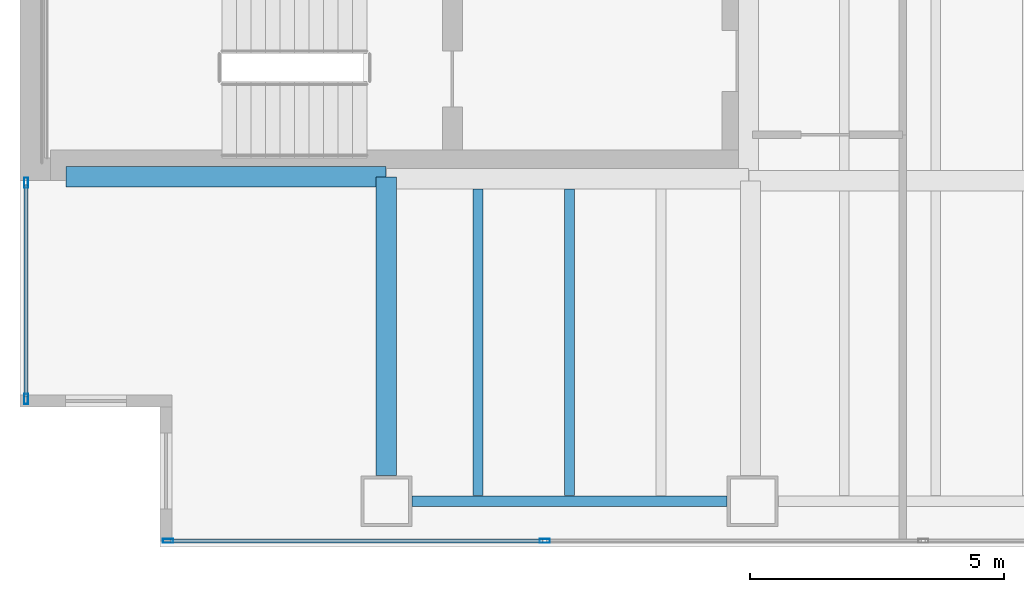
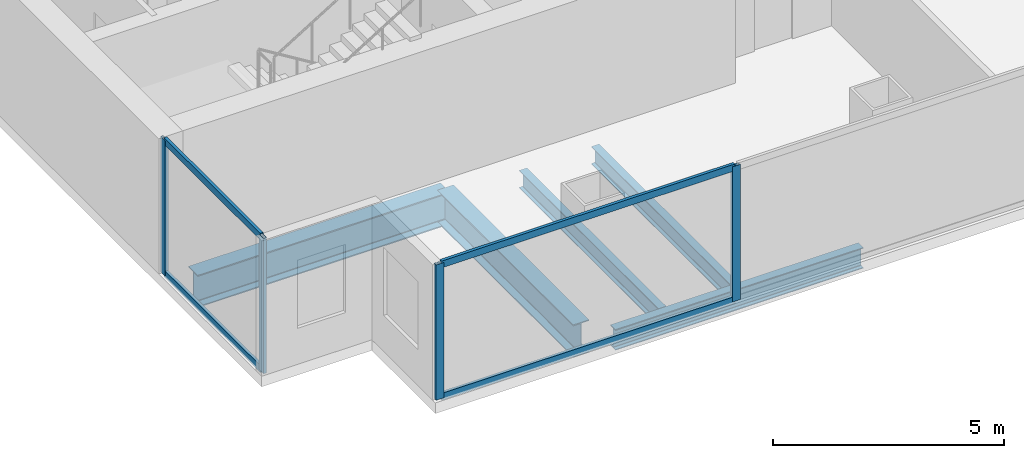
# One storey, part 2 of 23: 8 members, 5 beams, 2 elements without a shape of their own.
"""IFC4 building model written with IfcOpenShell, lengths in metres."""

import ifcopenshell
import ifcopenshell.guid

model = None  # the IFC model being written
_history = None  # IfcOwnerHistory: only IFC2X3 demands one
_inside = {}  # id of a spatial element -> (the spatial element, [elements in it])
_under = {}  # id of a project, library or spatial element -> (it, [spatial elements below it])
_declared = {}  # id of a project -> (the project, [libraries it declares])
_typed = {}  # id of a type object -> (the type object, [elements of that type])
_made_of = {}  # id of a material, layer set ... -> (it, [elements and type objects made of it])


def new_model(schema):
    """Start an empty IFC model of exactly this schema.

    Asked for "IFC4X3", IfcOpenShell would pick the latest addendum, in which some entities
    have other attributes; the version numbers below select the first issue.
    IFC2X3 requires an IfcOwnerHistory on every rooted entity: one is made here for all.
    """
    global model, _history
    if schema == "IFC4X3":
        model = ifcopenshell.file(schema_version=(4, 3, 0, 0))
    else:
        model = ifcopenshell.file(schema=schema)
    _inside.clear()
    _under.clear()
    _declared.clear()
    _typed.clear()
    _made_of.clear()
    _history = None
    if model.schema == "IFC2X3":
        org = make("IfcOrganization", Name="unknown")
        user = make(
            "IfcPersonAndOrganization",
            ThePerson=make("IfcPerson", FamilyName="unknown"),
            TheOrganization=org,
        )
        app = make(
            "IfcApplication",
            ApplicationDeveloper=org,
            Version="unknown",
            ApplicationFullName="unknown",
            ApplicationIdentifier="unknown",
        )
        _history = make(
            "IfcOwnerHistory",
            OwningUser=user,
            OwningApplication=app,
            ChangeAction="ADDED",
            CreationDate=0,
        )
    return model


def make(cls, **values):
    """One entity of the class cls with the attributes given. An attribute that is None is left unset."""
    return model.create_entity(
        cls, **{name: value for name, value in values.items() if value is not None}
    )


def rooted(cls, **values):
    """An entity with a GlobalId (a new one), such as an element, a storey or a relation."""
    return make(cls, GlobalId=ifcopenshell.guid.new(), OwnerHistory=_history, **values)


def si_unit(unit_type, name, prefix=None):
    """IfcSIUnit, for example si_unit("LENGTHUNIT", "METRE", prefix="MILLI")."""
    return make("IfcSIUnit", UnitType=unit_type, Prefix=prefix, Name=name)


def assignment(units):
    """IfcUnitAssignment: the units of a project."""
    return None if units is None else make("IfcUnitAssignment", Units=units)


def point(xyz):
    """IfcCartesianPoint."""
    return None if xyz is None else make("IfcCartesianPoint", Coordinates=xyz)


def direction(xyz):
    """IfcDirection."""
    return None if xyz is None else make("IfcDirection", DirectionRatios=xyz)


def frame(location, z_axis=None, x_axis=None):
    """IfcAxis2Placement3D, a coordinate frame: its origin and axes. An axis left out is left unset."""
    return make(
        "IfcAxis2Placement3D",
        Location=point(location),
        Axis=direction(z_axis),
        RefDirection=direction(x_axis),
    )


def frame_2d(location, x_axis=None):
    """IfcAxis2Placement2D, a coordinate frame in the plane: its origin and x axis."""
    return make(
        "IfcAxis2Placement2D", Location=point(location), RefDirection=direction(x_axis)
    )


def origin():
    """The frame at (0, 0, 0) with its axes left unset."""
    return frame((0.0, 0.0, 0.0))


def origin_2d():
    """The frame at (0, 0) in the plane with its x axis left unset."""
    return frame_2d((0.0, 0.0))


def place(relative_to, where):
    """IfcLocalPlacement: puts the frame where relative to a parent placement (None: the world)."""
    return make(
        "IfcLocalPlacement", PlacementRelTo=relative_to, RelativePlacement=where
    )


def context(
    kind, dimensions, precision=None, world=None, true_north=None, identifier=None
):
    """IfcGeometricRepresentationContext, for example the 3D "Model" context."""
    return make(
        "IfcGeometricRepresentationContext",
        ContextIdentifier=identifier,
        ContextType=kind,
        CoordinateSpaceDimension=dimensions,
        Precision=precision,
        WorldCoordinateSystem=world,
        TrueNorth=true_north,
    )


def subcontext(parent, identifier, kind, view, scale=None):
    """IfcGeometricRepresentationSubContext, for example "Body" below "Model"."""
    return make(
        "IfcGeometricRepresentationSubContext",
        ContextIdentifier=identifier,
        ContextType=kind,
        ParentContext=parent,
        TargetScale=scale,
        TargetView=view,
    )


def project(units=None, contexts=None):
    """IfcProject with its units and contexts."""
    return rooted(
        "IfcProject",
        Name="project",
        RepresentationContexts=contexts,
        UnitsInContext=assignment(units),
    )


def spatial(cls, under=None, at=None, **own):
    """A site, building, storey or space (cls), placed at a placement, below another one or the project."""
    s = rooted(cls, ObjectPlacement=at, **own)
    if under is not None:
        _under.setdefault(under.id(), (under, []))[1].append(s)
    return s


def profile(cls, at=None, kind="AREA", **sizes):
    """A parametric profile (cls). Its sizes go by their IFC names, for example OverallWidth=200.0."""
    return make(cls, ProfileType=kind, Position=at, **sizes)


def hollow_rectangle(**sizes):
    """IfcRectangleHollowProfileDef."""
    return profile("IfcRectangleHollowProfileDef", **sizes)


def i_section(**sizes):
    """IfcIShapeProfileDef."""
    return profile("IfcIShapeProfileDef", **sizes)


def extrude(swept, where, along, depth):
    """IfcExtrudedAreaSolid: the profile swept, set in the frame where, extruded along a direction by depth."""
    return make(
        "IfcExtrudedAreaSolid",
        SweptArea=swept,
        Position=where,
        ExtrudedDirection=direction(along),
        Depth=depth,
    )


def shape(context_of_items, identifier, shape_type, items):
    """IfcShapeRepresentation: the items that make up one representation, for example the "Body"."""
    return make(
        "IfcShapeRepresentation",
        ContextOfItems=context_of_items,
        RepresentationIdentifier=identifier,
        RepresentationType=shape_type,
        Items=items,
    )


def material(Name=None, Category=None):
    """IfcMaterial."""
    return make("IfcMaterial", Name=Name, Category=Category)


def material_profile(
    of_material, cross_section, Name=None, Category=None, Priority=None
):
    """IfcMaterialProfile: a cross section and its material."""
    return make(
        "IfcMaterialProfile",
        Name=Name,
        Material=of_material,
        Profile=cross_section,
        Priority=Priority,
        Category=Category,
    )


def profile_set(profiles, Name=None, composite=None):
    """IfcMaterialProfileSet."""
    return make(
        "IfcMaterialProfileSet",
        Name=Name,
        MaterialProfiles=profiles,
        CompositeProfile=composite,
    )


def made_of(thing, what):
    """Note that an element or type object is made of a material, layer set ...; save() writes the relation."""
    if what is not None:
        _made_of.setdefault(what.id(), (what, []))[1].append(thing)
    return thing


def type_object(cls, material=None, **own):
    """A type object (cls), such as IfcWallType, which elements share."""
    return made_of(rooted(cls, **own), material)


def element(
    cls,
    number,
    at=None,
    inside=None,
    cuts=None,
    type_object=None,
    material=None,
    context=None,
    identifier="Body",
    shape_type=None,
    held_by="IfcProductDefinitionShape",
    body=None,
    shapes=None,
    **own,
):
    """One element of the class cls, such as IfcWall. Its Tag is "e" and its number.

    at: its placement. inside: the storey or other place that contains it. cuts: it is an
    opening in that element (IfcRelVoidsElement). A single representation is given by context,
    identifier, shape_type and body (its items); several are given by shapes. held_by: the class
    of the entity that holds the representations. save() writes the other relations.
    """
    e = rooted(cls, Tag="e%d" % number, ObjectPlacement=at, **own)
    if body is not None:
        shapes = [shape(context, identifier, shape_type, body)]
    if shapes is not None:
        e.Representation = make(held_by, Representations=shapes)
    if inside is not None:
        _inside.setdefault(inside.id(), (inside, []))[1].append(e)
    if cuts is not None:
        rooted(
            "IfcRelVoidsElement", RelatingBuildingElement=cuts, RelatedOpeningElement=e
        )
    if type_object is not None:
        _typed.setdefault(type_object.id(), (type_object, []))[1].append(e)
    return made_of(e, material)


def aggregate(whole, parts):
    """IfcRelAggregates: a whole, such as a stair, and the parts it consists of."""
    return rooted("IfcRelAggregates", RelatingObject=whole, RelatedObjects=parts)


def save(model, path):
    """Write the relations noted so far, then the file.

    IfcRelAggregates (storeys below a building ...), IfcRelContainedInSpatialStructure (elements
    in a storey), IfcRelDefinesByType, IfcRelAssociatesMaterial and IfcRelDeclares: one each for
    every whole, place, type object, material and project.
    """
    for whole, parts in _under.values():
        aggregate(whole, parts)
    for where, things in _inside.values():
        rooted(
            "IfcRelContainedInSpatialStructure",
            RelatedElements=things,
            RelatingStructure=where,
        )
    for kind, things in _typed.values():
        rooted("IfcRelDefinesByType", RelatedObjects=things, RelatingType=kind)
    for what, things in _made_of.values():
        rooted("IfcRelAssociatesMaterial", RelatedObjects=things, RelatingMaterial=what)
    for by, libraries in _declared.values():
        rooted("IfcRelDeclares", RelatingContext=by, RelatedDefinitions=libraries)
    model.write(path)


model = new_model("IFC4")

# Units and contexts
model_context = context("Model", 3, precision=1e-05, world=origin(), true_north=direction((0.0, 1.0)))
body_context = subcontext(model_context, "Body", "Model", "MODEL_VIEW")
ifc_project = project(units=[si_unit("LENGTHUNIT", "METRE"), si_unit("AREAUNIT", "SQUARE_METRE"), si_unit("VOLUMEUNIT", "CUBIC_METRE"), si_unit("PLANEANGLEUNIT", "RADIAN"), si_unit("MASSUNIT", "GRAM", prefix="KILO")], contexts=[model_context])

# Site, building, storey
site_placement = place(None, origin())
site = spatial("IfcSite", under=ifc_project, at=site_placement, CompositionType="ELEMENT")
building_placement = place(site_placement, origin())
building = spatial("IfcBuilding", under=site, at=building_placement, Name="Cobrela Telecom Tower", CompositionType="ELEMENT")
storey_placement = place(building_placement, frame((0.0, 0.0, 73.5)))
storey = spatial("IfcBuildingStorey", under=building, at=storey_placement, Name="L18", CompositionType="ELEMENT", Elevation=73.5)

# Beams
ifc_material_1 = material(Name="Steel ASTM A992 Grade 50", Category="steel")
ifc_material_profile_1 = material_profile(ifc_material_1, i_section(OverallWidth=0.39892578125, OverallDepth=0.85595703125, WebThickness=0.018310546875, FlangeThickness=0.029296875, FilletRadius=0.02001953125, at=origin_2d()), Name="W33X201")
ifc_profile_set_1 = profile_set([ifc_material_profile_1], Name="Steel ASTM A992 Grade 50")
beam_type_1 = type_object("IfcBeamType", Name="BM-GIRD-03", PredefinedType="USERDEFINED", material=ifc_profile_set_1)
beam_1_placement = place(storey_placement, frame((0.905029296875, 7.280029296875, -0.7080078125), z_axis=(1.0, 0.0, 0.0), x_axis=(0.0, 1.0, 0.0)))
element("IfcBeam", 1, at=beam_1_placement, inside=storey, type_object=beam_type_1, Name="L18 Primary Girder X06", ObjectType="GIRDER", PredefinedType="USERDEFINED", context=body_context, shape_type="SweptSolid", body=[
    extrude(i_section(OverallWidth=0.39892578125, OverallDepth=0.85595703125, WebThickness=0.018310546875, FlangeThickness=0.029296875, FilletRadius=0.02001953125, at=origin_2d()), origin(), (0.0, 0.0, 1.0), 6.2900390625),
])
beam_2_placement = place(storey_placement, frame((7.199951171875, 1.405029296875, -0.7080078125), z_axis=(0.0, 1.0, 0.0), x_axis=(-1.0, 0.0, 0.0)))
element("IfcBeam", 2, at=beam_2_placement, inside=storey, type_object=beam_type_1, Name="L18 Primary Girder Y32", ObjectType="GIRDER", PredefinedType="USERDEFINED", context=body_context, shape_type="SweptSolid", body=[
    extrude(i_section(OverallWidth=0.39892578125, OverallDepth=0.85595703125, WebThickness=0.018310546875, FlangeThickness=0.029296875, FilletRadius=0.02001953125, at=origin_2d()), origin(), (0.0, 0.0, 1.0), 5.869873046875),
])
ifc_material_profile_2 = material_profile(ifc_material_1, i_section(OverallWidth=0.193115234375, OverallDepth=0.467041015625, WebThickness=0.011474609375, FlangeThickness=0.01904296875, FilletRadius=0.012939453125, at=origin_2d()), Name="W18X65")
ifc_profile_set_2 = profile_set([ifc_material_profile_2], Name="Steel ASTM A992 Grade 50")
beam_type_2 = type_object("IfcBeamType", Name="BM-JOIST-03", PredefinedType="JOIST", material=ifc_profile_set_2)
for number, where, z_axis, x_axis, name in (
    (3, (9.0, 1.011474609375, -0.513427734375), (0.0, 1.0, 0.0), (-1.0, 0.0, 0.0), "L18 Secondary Composite Floor Beam J01"),
    (4, (10.800048828125, 1.011474609375, -0.513427734375), (0.0, 1.0, 0.0), (-1.0, 0.0, 0.0), "L18 Secondary Composite Floor Beam J03"),
):
    element("IfcBeam", number, at=place(storey_placement, frame(where, z_axis=z_axis, x_axis=x_axis)), inside=storey, type_object=beam_type_2, Name=name, PredefinedType="JOIST", context=body_context, shape_type="SweptSolid", body=[
        extrude(i_section(OverallWidth=0.193115234375, OverallDepth=0.467041015625, WebThickness=0.011474609375, FlangeThickness=0.01904296875, FilletRadius=0.012939453125, at=origin_2d()), origin(), (0.0, 0.0, 1.0), 6.02392578125),
    ])
ifc_material_profile_3 = material_profile(ifc_material_1, i_section(OverallWidth=0.212890625, OverallDepth=0.549072265625, WebThickness=0.0146484375, FlangeThickness=0.023681640625, FilletRadius=0.013916015625, at=origin_2d()), Name="W21X93")
ifc_profile_set_3 = profile_set([ifc_material_profile_3], Name="Steel ASTM A992 Grade 50")
beam_type_3 = type_object("IfcBeamType", Name="BM-SPAND-03", PredefinedType="SPANDREL", material=ifc_profile_set_3)
beam_3_placement = place(storey_placement, frame((7.705078125, 0.89990234375, -0.554443359375), z_axis=(1.0, 0.0, 0.0), x_axis=(0.0, 1.0, 0.0)))
element("IfcBeam", 5, at=beam_3_placement, inside=storey, type_object=beam_type_3, Name="L18 Perimeter Spandrel X01", PredefinedType="SPANDREL", context=body_context, shape_type="SweptSolid", body=[
    extrude(i_section(OverallWidth=0.212890625, OverallDepth=0.549072265625, WebThickness=0.0146484375, FlangeThickness=0.023681640625, FilletRadius=0.013916015625, at=origin_2d()), origin(), (0.0, 0.0, 1.0), 6.18994140625),
])

# Curtain wall, members
ifc_material_2 = material(Name="Anodized Bronze Aluminium 6063-T6", Category="aluminium")
curtain_wall_type = type_object("IfcCurtainWallType", Name="CW-SYS-DATA", PredefinedType="USERDEFINED", material=ifc_material_2)
curtain_wall_1_placement = place(storey_placement, origin())
curtain_wall_1 = element("IfcCurtainWall", 6, at=curtain_wall_1_placement, inside=storey, type_object=curtain_wall_type, Name="L18 Unitised Bronze Curtain Wall 03", ObjectType="UNITISED CURTAIN WALL", PredefinedType="USERDEFINED")
ifc_material_profile_4 = material_profile(ifc_material_2, hollow_rectangle(XDim=0.080078125, YDim=0.199951171875, WallThickness=0.00390625, at=origin_2d()), Name="ALU 80x200x4")
ifc_profile_set_4 = profile_set([ifc_material_profile_4], Name="Anodized Bronze Aluminium 6063-T6")
member_type_1 = type_object("IfcMemberType", Name="CW-SYS-DATA-MUL", PredefinedType="MULLION", material=ifc_profile_set_4)
member_1_placement = place(storey_placement, frame((0.1201171875, 2.909912109375, 0.0), z_axis=(0.0, 0.0, 1.0), x_axis=(-1.0, 0.0, 0.0)))
member_1 = element("IfcMember", 7, at=member_1_placement, type_object=member_type_1, Name="CW-DATA mullion 1", PredefinedType="MULLION", context=body_context, shape_type="SweptSolid", body=[
    extrude(hollow_rectangle(XDim=0.080078125, YDim=0.199951171875, WallThickness=0.00390625, at=origin_2d()), origin(), (0.0, 0.0, 1.0), 3.570068359375),
])
member_2_placement = place(storey_placement, frame((0.1201171875, 7.159912109375, 0.0), z_axis=(0.0, 0.0, 1.0), x_axis=(-1.0, 0.0, 0.0)))
member_2 = element("IfcMember", 8, at=member_2_placement, type_object=member_type_1, Name="CW-DATA mullion 2", PredefinedType="MULLION", context=body_context, shape_type="SweptSolid", body=[
    extrude(hollow_rectangle(XDim=0.080078125, YDim=0.199951171875, WallThickness=0.00390625, at=origin_2d()), origin(), (0.0, 0.0, 1.0), 3.570068359375),
])

curtain_wall_2_placement = place(storey_placement, origin())
curtain_wall_2 = element("IfcCurtainWall", 9, at=curtain_wall_2_placement, inside=storey, type_object=curtain_wall_type, Name="L18 Unitised Bronze Curtain Wall 17", ObjectType="UNITISED CURTAIN WALL", PredefinedType="USERDEFINED")
member_3_placement = place(storey_placement, frame((10.313232421875, 0.1201171875, 0.0), z_axis=(0.0, 0.0, 1.0), x_axis=(0.0, -1.0, 0.0)))
member_3 = element("IfcMember", 10, at=member_3_placement, type_object=member_type_1, Name="CW-DATA mullion 6", PredefinedType="MULLION", context=body_context, shape_type="SweptSolid", body=[
    extrude(hollow_rectangle(XDim=0.080078125, YDim=0.199951171875, WallThickness=0.00390625, at=origin_2d()), origin(), (0.0, 0.0, 1.0), 3.570068359375),
])
member_4_placement = place(storey_placement, frame((2.909912109375, 0.1201171875, 0.0), z_axis=(0.0, 0.0, 1.0), x_axis=(0.0, -1.0, 0.0)))
member_4 = element("IfcMember", 11, at=member_4_placement, type_object=member_type_1, Name="CW-DATA mullion 7", PredefinedType="MULLION", context=body_context, shape_type="SweptSolid", body=[
    extrude(hollow_rectangle(XDim=0.080078125, YDim=0.199951171875, WallThickness=0.00390625, at=origin_2d()), origin(), (0.0, 0.0, 1.0), 3.570068359375),
])

# Member
ifc_material_profile_5 = material_profile(ifc_material_2, hollow_rectangle(XDim=0.074951171875, YDim=0.179931640625, WallThickness=0.00390625, at=origin_2d()), Name="ALU 75x180x4")
ifc_profile_set_5 = profile_set([ifc_material_profile_5], Name="Anodized Bronze Aluminium 6063-T6")
member_type_2 = type_object("IfcMemberType", Name="CW-SYS-DATA-TRN", PredefinedType="USERDEFINED", material=ifc_profile_set_5)
member_5_placement = place(storey_placement, frame((0.1201171875, 2.949951171875, 0.03759765625), z_axis=(0.0, 1.0, 0.0), x_axis=(-1.0, 0.0, 0.0)))
member_5 = element("IfcMember", 12, at=member_5_placement, type_object=member_type_2, Name="CW-DATA transom 1.1", ObjectType="TRANSOM", PredefinedType="USERDEFINED", context=body_context, shape_type="SweptSolid", body=[
    extrude(hollow_rectangle(XDim=0.074951171875, YDim=0.179931640625, WallThickness=0.00390625, at=origin_2d()), origin(), (0.0, 0.0, 1.0), 4.170166015625),
])

member_6_placement = place(storey_placement, frame((0.1201171875, 2.949951171875, 3.532470703125), z_axis=(0.0, 1.0, 0.0), x_axis=(-1.0, 0.0, 0.0)))
member_6 = element("IfcMember", 13, at=member_6_placement, type_object=member_type_2, Name="CW-DATA transom 1.2", ObjectType="TRANSOM", PredefinedType="USERDEFINED", context=body_context, shape_type="SweptSolid", body=[
    extrude(hollow_rectangle(XDim=0.074951171875, YDim=0.179931640625, WallThickness=0.00390625, at=origin_2d()), origin(), (0.0, 0.0, 1.0), 4.170166015625),
])

aggregate(curtain_wall_1, [member_1, member_2, member_5, member_6])

member_7_placement = place(storey_placement, frame((10.2734375, 0.1201171875, 0.03759765625), z_axis=(-1.0, 0.0, 0.0), x_axis=(0.0, -1.0, 0.0)))
member_7 = element("IfcMember", 14, at=member_7_placement, type_object=member_type_2, Name="CW-DATA transom 6.1", ObjectType="TRANSOM", PredefinedType="USERDEFINED", context=body_context, shape_type="SweptSolid", body=[
    extrude(hollow_rectangle(XDim=0.074951171875, YDim=0.179931640625, WallThickness=0.00390625, at=origin_2d()), origin(), (0.0, 0.0, 1.0), 7.323486328125),
])

member_8_placement = place(storey_placement, frame((10.2734375, 0.1201171875, 3.532470703125), z_axis=(-1.0, 0.0, 0.0), x_axis=(0.0, -1.0, 0.0)))
member_8 = element("IfcMember", 15, at=member_8_placement, type_object=member_type_2, Name="CW-DATA transom 6.2", ObjectType="TRANSOM", PredefinedType="USERDEFINED", context=body_context, shape_type="SweptSolid", body=[
    extrude(hollow_rectangle(XDim=0.074951171875, YDim=0.179931640625, WallThickness=0.00390625, at=origin_2d()), origin(), (0.0, 0.0, 1.0), 7.323486328125),
])

aggregate(curtain_wall_2, [member_3, member_4, member_7, member_8])

save(model, "model.ifc")
